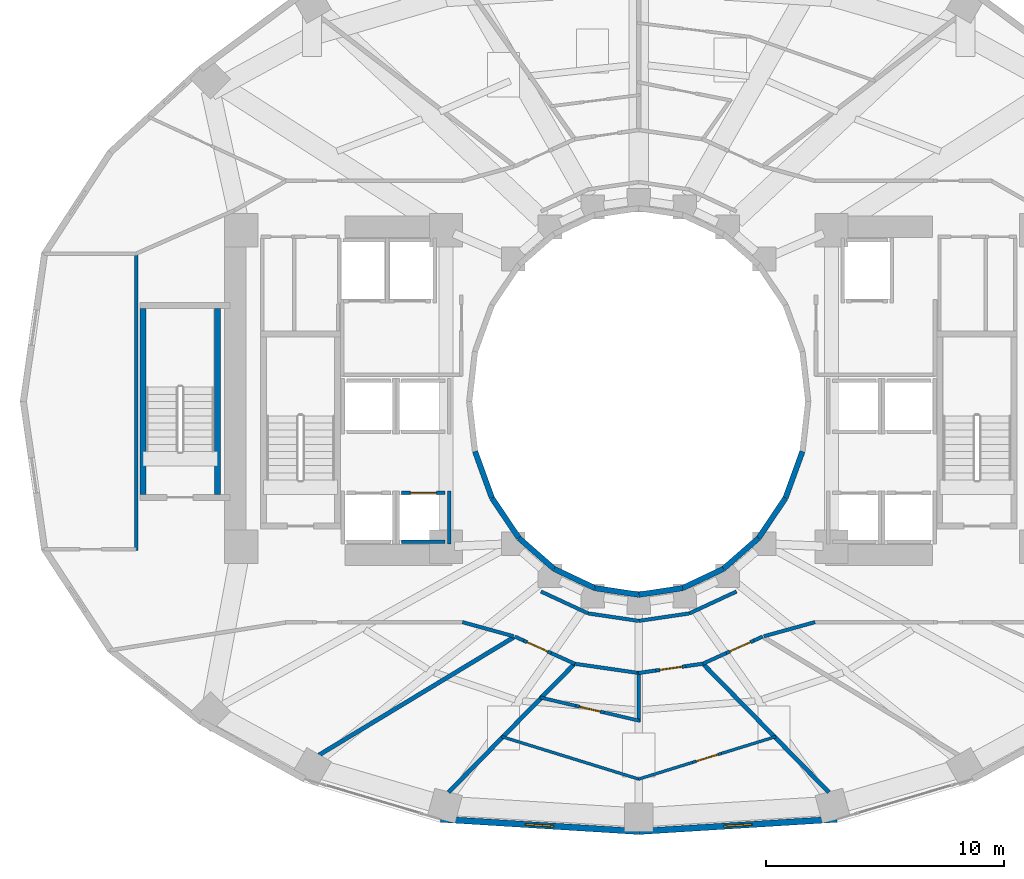
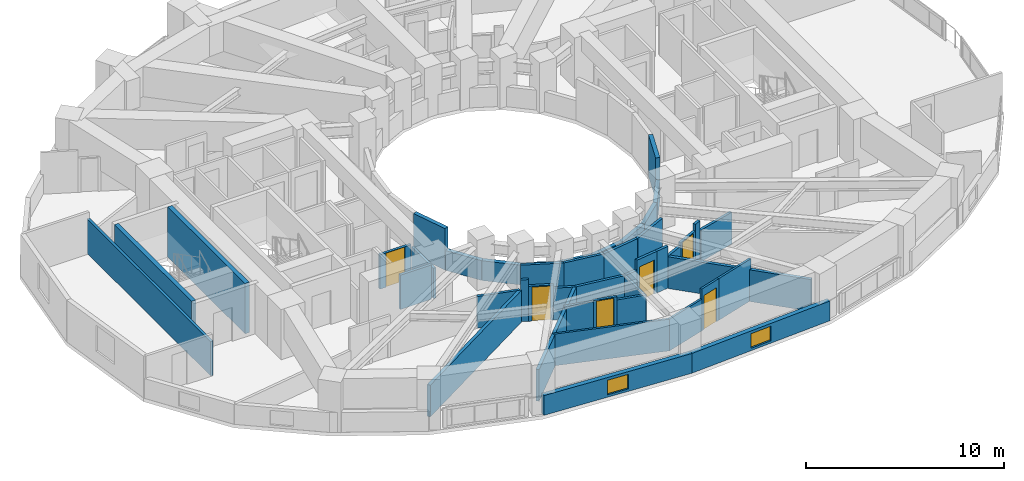
# One storey, part 14 of 22: 45 walls, 6 doors, 2 windows, 8 openings.
"""IFC4 building model written with IfcOpenShell, lengths in metres."""

from ifc_helpers import new_model, si_unit, direction, frame, frame_2d, origin, place, context, subcontext, project, spatial, rectangle, extrude, material, layer, layer_set, type_object, element, fill, save


model = new_model("IFC4")

# Units and contexts
model_context = context("Model", 3, precision=1e-05, world=origin(), true_north=direction((0.0, 1.0)))
body_context = subcontext(model_context, "Body", "Model", "MODEL_VIEW")
ifc_project = project(units=[si_unit("LENGTHUNIT", "METRE"), si_unit("AREAUNIT", "SQUARE_METRE"), si_unit("VOLUMEUNIT", "CUBIC_METRE"), si_unit("PLANEANGLEUNIT", "RADIAN"), si_unit("MASSUNIT", "GRAM", prefix="KILO")], contexts=[model_context])

# Site, building, storey
site_placement = place(None, origin())
site = spatial("IfcSite", under=ifc_project, at=site_placement, CompositionType="ELEMENT")
building_placement = place(site_placement, origin())
building = spatial("IfcBuilding", under=site, at=building_placement, Name="Solvane Sanctuary Tower", CompositionType="ELEMENT")
storey_placement = place(building_placement, frame((0.0, 0.0, 43.10009765625)))
storey = spatial("IfcBuildingStorey", under=building, at=storey_placement, Name="L12", CompositionType="ELEMENT", Elevation=43.10009765625)

# Walls
ifc_material_1 = material(Name="Acoustic Gypsum Partition Board")
ifc_layer_1 = layer(ifc_material_1, 0.14990234375, Name="Acoustic Gypsum Partition Board")
ifc_layer_set_1 = layer_set([ifc_layer_1], Name="Acoustic Gypsum Partition Board")
wall_type_1 = type_object("IfcWallType", Name="Wall W-CORR-150", PredefinedType="PARTITIONING", material=ifc_layer_set_1)
wall_1_placement = place(storey_placement, frame((27.889892578125, 15.01513671875, 0.0), z_axis=(0.0, 0.0, 1.0), x_axis=(0.906943449489, -0.421252393975, 0.0)))
element("IfcWall", 1, at=wall_1_placement, inside=storey, type_object=wall_type_1, Name="L12 Light-Well Corridor Rim Wall S1", PredefinedType="PARTITIONING", context=body_context, shape_type="SweptSolid", body=[
    extrude(rectangle(XDim=2.18603515625, YDim=0.14990234375, at=frame_2d((1.093017578125, 0.0))), origin(), (0.0, 0.0, 1.0), 1.956787109375),
])
for number, where, z_axis, x_axis, name in (
    (2, (29.87255859375, 14.09423828125, 0.0), (0.0, 0.0, 1.0), (0.989268584896, -0.146108408166, 0.0), "L12 Light-Well Corridor Rim Wall S2"),
    (3, (32.0, 13.780029296875, 0.0), (0.0, 0.0, 1.0), (0.989268584896, 0.146108408166, 0.0), "L12 Light-Well Corridor Rim Wall S3"),
):
    element("IfcWall", number, at=place(storey_placement, frame(where, z_axis=z_axis, x_axis=x_axis)), inside=storey, type_object=wall_type_1, Name=name, PredefinedType="PARTITIONING", context=body_context, shape_type="SweptSolid", body=[
        extrude(rectangle(XDim=2.150634765625, YDim=0.14990234375, at=frame_2d((1.0751953125, 0.0))), origin(), (0.0, 0.0, 1.0), 1.956787109375),
    ])
wall_2_placement = place(storey_placement, frame((34.12744140625, 14.09423828125, 0.0), z_axis=(0.0, 0.0, 1.0), x_axis=(0.906943449489, 0.421252393975, 0.0)))
element("IfcWall", 4, at=wall_2_placement, inside=storey, type_object=wall_type_1, Name="L12 Light-Well Corridor Rim Wall S4", PredefinedType="PARTITIONING", context=body_context, shape_type="SweptSolid", body=[
    extrude(rectangle(XDim=2.18603515625, YDim=0.14990234375, at=frame_2d((1.093017578125, 0.0))), origin(), (0.0, 0.0, 1.0), 1.956787109375),
])
wall_3_placement = place(storey_placement, frame((10.8798828125, 16.748291015625, 0.0), z_axis=(0.0, 0.0, 1.0), x_axis=(0.0, 1.0, 0.0)))
element("IfcWall", 5, at=wall_3_placement, inside=storey, type_object=wall_type_1, Name="L12 West Shoulder Back Wall", PredefinedType="PARTITIONING", context=body_context, shape_type="SweptSolid", body=[
    extrude(rectangle(XDim=12.50341796875, YDim=0.14990234375, at=frame_2d((6.251708984375, 0.0))), origin(), (0.0, 0.0, 1.0), 2.119873046875),
])
for number, where, z_axis, x_axis, name in (
    (6, (26.741943359375, 13.13330078125, 0.0), (0.0, 0.0, 1.0), (-0.963833843713, 0.266503886865, 0.0), "L12 SW Corner Throat Wall"),
    (7, (37.258056640625, 13.13330078125, 0.0), (0.0, 0.0, 1.0), (0.963833843713, 0.266503886865, 0.0), "L12 SE Corner Throat Wall"),
):
    element("IfcWall", number, at=place(storey_placement, frame(where, z_axis=z_axis, x_axis=x_axis)), inside=storey, type_object=wall_type_1, Name=name, PredefinedType="PARTITIONING", context=body_context, shape_type="SweptSolid", body=[
        extrude(rectangle(XDim=2.231689453125, YDim=0.14990234375, at=frame_2d((1.11572265625, 0.0))), origin(), (0.0, 0.0, 1.0), 1.956787109375),
    ])
wall_4_placement = place(storey_placement, frame((26.788818359375, 13.12255859375, 0.0), z_axis=(0.0, 0.0, 1.0), x_axis=(0.910630236002, -0.413222183915, 0.0)))
element("IfcWall", 8, at=wall_4_placement, inside=storey, type_object=wall_type_1, Name="L12 Unit Corridor Wall S1", PredefinedType="PARTITIONING", context=body_context, shape_type="SweptSolid", body=[
    extrude(rectangle(XDim=0.411865234375, YDim=0.14990234375, at=frame_2d((0.2060546875, 0.0))), origin(), (0.0, 0.0, 1.0), 2.574951171875),
])

# Wall, opening, door
wall_5_placement = place(storey_placement, frame((27.163818359375, 12.952392578125, 0.0), z_axis=(0.0, 0.0, 1.0), x_axis=(0.910524396382, -0.413455346552, 0.0)))
wall_5 = element("IfcWall", 9, at=wall_5_placement, inside=storey, type_object=wall_type_1, Name="L12 Unit Corridor Wall S1", PredefinedType="PARTITIONING", context=body_context, shape_type="SweptSolid", body=[
    extrude(rectangle(XDim=1.27001953125, YDim=0.14990234375, at=frame_2d((0.635009765625, 0.0))), origin(), (0.0, 0.0, 1.0), 2.159912109375),
])
opening_1_placement = place(wall_5_placement, frame((0.159912109375, 0.0, 0.0)))
opening_1 = element("IfcOpeningElement", 10, at=opening_1_placement, cuts=wall_5, Name="Opening D-L12-24", PredefinedType="OPENING", context=body_context, shape_type="SweptSolid", body=[
    extrude(rectangle(XDim=0.949951171875, YDim=2.10009765625, at=frame_2d((0.47509765625, 1.050048828125))), frame((0.0, 0.0849609375, 0.0), z_axis=(0.0, -1.0, 0.0), x_axis=(1.0, 0.0, 0.0)), (0.0, 0.0, 1.0), 0.169921875),
])
ifc_material_2 = material(Name="Engineered Tropical Hardwood", Category="wood")
door_type_1 = type_object("IfcDoorType", Name="Door D-ROOM-950", OperationType="NOTDEFINED", PredefinedType="DOOR", material=ifc_material_2)
door_1_placement = place(opening_1_placement, origin())
door_1 = element("IfcDoor", 11, at=door_1_placement, inside=storey, type_object=door_type_1, Name="L12 Unit Entrance Door S1", OperationType="SINGLE_SWING_RIGHT", OverallHeight=2.10009765625, OverallWidth=0.949951171875, PredefinedType="DOOR", context=body_context, shape_type="SweptSolid", body=[
    extrude(rectangle(XDim=0.949951171875, YDim=2.10009765625, at=frame_2d((0.47509765625, 1.050048828125))), frame((0.0, 0.02490234375, 0.0), z_axis=(0.0, -1.0, 0.0), x_axis=(1.0, 0.0, 0.0)), (0.0, 0.0, 1.0), 0.050048828125),
])
fill(opening_1, door_1)

# Walls
wall_6_placement = place(storey_placement, frame((28.3203125, 12.42724609375, 0.0), z_axis=(0.0, 0.0, 1.0), x_axis=(0.910596482868, -0.413296558645, 0.0)))
element("IfcWall", 12, at=wall_6_placement, inside=storey, type_object=wall_type_1, Name="L12 Unit Corridor Wall S1", PredefinedType="PARTITIONING", context=body_context, shape_type="SweptSolid", body=[
    extrude(rectangle(XDim=1.08984375, YDim=0.14990234375, at=frame_2d((0.544921875, 0.0))), origin(), (0.0, 0.0, 1.0), 1.956787109375),
])
wall_7_placement = place(storey_placement, frame((29.256103515625, 11.98583984375, 0.0), z_axis=(0.0, 0.0, 1.0), x_axis=(0.989761784218, -0.142729150844, 0.0)))
element("IfcWall", 13, at=wall_7_placement, inside=storey, type_object=wall_type_1, Name="L12 En-suite Inner Wall S2", PredefinedType="PARTITIONING", context=body_context, shape_type="SweptSolid", body=[
    extrude(rectangle(XDim=2.822265625, YDim=0.14990234375, at=frame_2d((1.4111328125, 0.0))), origin(), (0.0, 0.0, 1.0), 1.956787109375),
])
wall_8_placement = place(storey_placement, frame((31.99267578125, 11.590087890625, 0.0), z_axis=(0.0, 0.0, 1.0), x_axis=(0.989795766197, 0.142493302365, 0.0)))
element("IfcWall", 14, at=wall_8_placement, inside=storey, type_object=wall_type_1, Name="L12 Unit Corridor Wall S2", PredefinedType="PARTITIONING", context=body_context, shape_type="SweptSolid", body=[
    extrude(rectangle(XDim=0.7333984375, YDim=0.14990234375, at=frame_2d((0.36669921875, 0.0))), origin(), (0.0, 0.0, 1.0), 1.956787109375),
])

# Wall, opening, door
wall_9_placement = place(storey_placement, frame((32.718505859375, 11.694580078125, 0.0), z_axis=(0.0, 0.0, 1.0), x_axis=(0.989721405299, 0.14300888047, 0.0)))
wall_9 = element("IfcWall", 15, at=wall_9_placement, inside=storey, type_object=wall_type_1, Name="L12 Unit Corridor Wall S2", PredefinedType="PARTITIONING", context=body_context, shape_type="SweptSolid", body=[
    extrude(rectangle(XDim=1.27001953125, YDim=0.14990234375, at=frame_2d((0.635009765625, 0.0))), origin(), (0.0, 0.0, 1.0), 2.574951171875),
])
opening_2_placement = place(wall_9_placement, frame((0.159912109375, 0.0, 0.0)))
opening_2 = element("IfcOpeningElement", 16, at=opening_2_placement, cuts=wall_9, Name="Opening D-L12-27", PredefinedType="OPENING", context=body_context, shape_type="SweptSolid", body=[
    extrude(rectangle(XDim=0.949951171875, YDim=2.10009765625, at=frame_2d((0.47509765625, 1.050048828125))), frame((0.0, 0.0849609375, 0.0), z_axis=(0.0, -1.0, 0.0), x_axis=(1.0, 0.0, 0.0)), (0.0, 0.0, 1.0), 0.169921875),
])
door_2_placement = place(opening_2_placement, origin())
door_2 = element("IfcDoor", 17, at=door_2_placement, inside=storey, type_object=door_type_1, Name="L12 Unit Entrance Door S2", OperationType="SINGLE_SWING_LEFT", OverallHeight=2.10009765625, OverallWidth=0.949951171875, PredefinedType="DOOR", context=body_context, shape_type="SweptSolid", body=[
    extrude(rectangle(XDim=0.949951171875, YDim=2.10009765625, at=frame_2d((0.47509765625, 1.050048828125))), frame((0.0, 0.02490234375, 0.0), z_axis=(0.0, -1.0, 0.0), x_axis=(1.0, 0.0, 0.0)), (0.0, 0.0, 1.0), 0.050048828125),
])
fill(opening_2, door_2)

# Walls
wall_10_placement = place(storey_placement, frame((33.9755859375, 11.876220703125, 0.0), z_axis=(0.0, 0.0, 1.0), x_axis=(0.98974875873, 0.142819447526, 0.0)))
element("IfcWall", 18, at=wall_10_placement, inside=storey, type_object=wall_type_1, Name="L12 Unit Corridor Wall S2", PredefinedType="PARTITIONING", context=body_context, shape_type="SweptSolid", body=[
    extrude(rectangle(XDim=0.7333984375, YDim=0.14990234375, at=frame_2d((0.36669921875, 0.0))), origin(), (0.0, 0.0, 1.0), 2.574951171875),
])
wall_11_placement = place(storey_placement, frame((34.687255859375, 11.976806640625, 0.0), z_axis=(0.0, 0.0, 1.0), x_axis=(0.910596482868, 0.413296558645, 0.0)))
element("IfcWall", 19, at=wall_11_placement, inside=storey, type_object=wall_type_1, Name="L12 Unit Corridor Wall S3", PredefinedType="PARTITIONING", context=body_context, shape_type="SweptSolid", body=[
    extrude(rectangle(XDim=1.08984375, YDim=0.14990234375, at=frame_2d((0.544921875, 0.0))), origin(), (0.0, 0.0, 1.0), 1.956787109375),
])

# Wall, opening, door
wall_12_placement = place(storey_placement, frame((35.6796875, 12.42724609375, 0.0), z_axis=(0.0, 0.0, 1.0), x_axis=(0.910524396382, 0.413455346552, 0.0)))
wall_12 = element("IfcWall", 20, at=wall_12_placement, inside=storey, type_object=wall_type_1, Name="L12 Unit Corridor Wall S3", PredefinedType="PARTITIONING", context=body_context, shape_type="SweptSolid", body=[
    extrude(rectangle(XDim=1.27001953125, YDim=0.14990234375, at=frame_2d((0.635009765625, 0.0))), origin(), (0.0, 0.0, 1.0), 2.159912109375),
])
opening_3_placement = place(wall_12_placement, frame((0.159912109375, 0.0, 0.0)))
opening_3 = element("IfcOpeningElement", 21, at=opening_3_placement, cuts=wall_12, Name="Opening D-L12-28", PredefinedType="OPENING", context=body_context, shape_type="SweptSolid", body=[
    extrude(rectangle(XDim=0.949951171875, YDim=2.10009765625, at=frame_2d((0.47509765625, 1.050048828125))), frame((0.0, 0.0849609375, 0.0), z_axis=(0.0, -1.0, 0.0), x_axis=(1.0, 0.0, 0.0)), (0.0, 0.0, 1.0), 0.169921875),
])
door_3_placement = place(opening_3_placement, origin())
door_3 = element("IfcDoor", 22, at=door_3_placement, inside=storey, type_object=door_type_1, Name="L12 Unit Entrance Door S3", OperationType="SINGLE_SWING_RIGHT", OverallHeight=2.10009765625, OverallWidth=0.949951171875, PredefinedType="DOOR", context=body_context, shape_type="SweptSolid", body=[
    extrude(rectangle(XDim=0.949951171875, YDim=2.10009765625, at=frame_2d((0.47509765625, 1.050048828125))), frame((0.0, 0.02490234375, 0.0), z_axis=(0.0, -1.0, 0.0), x_axis=(1.0, 0.0, 0.0)), (0.0, 0.0, 1.0), 0.050048828125),
])
fill(opening_3, door_3)

# Wall
wall_13_placement = place(storey_placement, frame((36.836181640625, 12.952392578125, 0.0), z_axis=(0.0, 0.0, 1.0), x_axis=(0.910630236002, 0.413222183915, 0.0)))
element("IfcWall", 23, at=wall_13_placement, inside=storey, type_object=wall_type_1, Name="L12 Unit Corridor Wall S3", PredefinedType="PARTITIONING", context=body_context, shape_type="SweptSolid", body=[
    extrude(rectangle(XDim=0.411865234375, YDim=0.14990234375, at=frame_2d((0.2060546875, 0.0))), origin(), (0.0, 0.0, 1.0), 2.574951171875),
])

# Wall, opening, window
ifc_material_3 = material(Name="Precast concrete C40/50", Category="concrete")
ifc_layer_2 = layer(ifc_material_3, 0.260009765625, Name="Precast concrete C40/50")
ifc_layer_set_2 = layer_set([ifc_layer_2], Name="Precast concrete C40/50")
wall_type_2 = type_object("IfcWallType", Name="Wall W-EXT-250", PredefinedType="STANDARD", material=ifc_layer_set_2)
wall_14_placement = place(storey_placement, frame((23.668212890625, 5.447021484375, 0.0), z_axis=(0.0, 0.0, 1.0), x_axis=(0.998090514779, -0.061768311519, 0.0)))
wall_14 = element("IfcWall", 24, at=wall_14_placement, inside=storey, type_object=wall_type_2, Name="L12 Ceramic-Printed Facade Wall 17", PredefinedType="STANDARD", context=body_context, shape_type="SweptSolid", body=[
    extrude(rectangle(XDim=8.34765625, YDim=0.260009765625, at=frame_2d((4.173828125, 0.0))), origin(), (0.0, 0.0, 1.0), 1.219970703125),
])
opening_4_placement = place(wall_14_placement, frame((3.57373046875, 0.0, 0.14990234375)))
opening_4 = element("IfcOpeningElement", 25, at=opening_4_placement, cuts=wall_14, Name="Opening WN-OPER-1200", PredefinedType="OPENING", context=body_context, shape_type="SweptSolid", body=[
    extrude(rectangle(XDim=1.199951171875, YDim=0.89990234375, at=frame_2d((0.60009765625, 0.449951171875))), frame((0.0, 0.139892578125, 0.0), z_axis=(0.0, -1.0, 0.0), x_axis=(1.0, 0.0, 0.0)), (0.0, 0.0, 1.0), 0.280029296875),
])
ifc_material_4 = material(Name="Dark Ceramic-Fritted Low-E Glass", Category="glass")
window_type = type_object("IfcWindowType", Name="Window WN-OPER-1200", PartitioningType="SINGLE_PANEL", PredefinedType="WINDOW", material=ifc_material_4)
window_1_placement = place(opening_4_placement, origin())
window_1 = element("IfcWindow", 26, at=window_1_placement, inside=storey, type_object=window_type, Name="L12 Operable Facade Window 17", OverallHeight=0.89990234375, OverallWidth=1.199951171875, PartitioningType="SINGLE_PANEL", PredefinedType="WINDOW", context=body_context, shape_type="SweptSolid", body=[
    extrude(rectangle(XDim=1.199951171875, YDim=0.89990234375, at=frame_2d((0.60009765625, 0.449951171875))), frame((0.0, 0.030029296875, 0.0), z_axis=(0.0, -1.0, 0.0), x_axis=(1.0, 0.0, 0.0)), (0.0, 0.0, 1.0), 0.06005859375),
])
fill(opening_4, window_1)

wall_15_placement = place(storey_placement, frame((32.0, 4.931396484375, 0.0), z_axis=(0.0, 0.0, 1.0), x_axis=(0.998090514779, 0.061768311519, 0.0)))
wall_15 = element("IfcWall", 27, at=wall_15_placement, inside=storey, type_object=wall_type_2, Name="L12 Ceramic-Printed Facade Wall 18", PredefinedType="STANDARD", context=body_context, shape_type="SweptSolid", body=[
    extrude(rectangle(XDim=8.34765625, YDim=0.260009765625, at=frame_2d((4.173828125, 0.0))), origin(), (0.0, 0.0, 1.0), 1.219970703125),
])
opening_5_placement = place(wall_15_placement, frame((3.57373046875, 0.0, 0.14990234375)))
opening_5 = element("IfcOpeningElement", 28, at=opening_5_placement, cuts=wall_15, Name="Opening WN-OPER-1200", PredefinedType="OPENING", context=body_context, shape_type="SweptSolid", body=[
    extrude(rectangle(XDim=1.199951171875, YDim=0.89990234375, at=frame_2d((0.60009765625, 0.449951171875))), frame((0.0, 0.139892578125, 0.0), z_axis=(0.0, -1.0, 0.0), x_axis=(1.0, 0.0, 0.0)), (0.0, 0.0, 1.0), 0.280029296875),
])
window_2_placement = place(opening_5_placement, origin())
window_2 = element("IfcWindow", 29, at=window_2_placement, inside=storey, type_object=window_type, Name="L12 Operable Facade Window 18", OverallHeight=0.89990234375, OverallWidth=1.199951171875, PartitioningType="SINGLE_PANEL", PredefinedType="WINDOW", context=body_context, shape_type="SweptSolid", body=[
    extrude(rectangle(XDim=1.199951171875, YDim=0.89990234375, at=frame_2d((0.60009765625, 0.449951171875))), frame((0.0, 0.030029296875, 0.0), z_axis=(0.0, -1.0, 0.0), x_axis=(1.0, 0.0, 0.0)), (0.0, 0.0, 1.0), 0.06005859375),
])
fill(opening_5, window_2)

# Walls
ifc_layer_3 = layer(ifc_material_3, 0.22998046875, Name="Precast concrete C40/50")
ifc_layer_set_3 = layer_set([ifc_layer_3], Name="Precast concrete C40/50")
wall_type_3 = type_object("IfcWallType", Name="Wall W-EXT-SP220", PredefinedType="STANDARD", material=ifc_layer_set_3)
wall_16_placement = place(storey_placement, frame((25.12255859375, 20.8984375, 0.0), z_axis=(0.0, 0.0, 1.0), x_axis=(0.341423187295, -0.93990968033, 0.0)))
element("IfcWall", 30, at=wall_16_placement, inside=storey, type_object=wall_type_3, Name="L12 Central Light-Well Wall 13", PredefinedType="STANDARD", context=body_context, shape_type="SweptSolid", body=[
    extrude(rectangle(XDim=2.083740234375, YDim=0.22998046875, at=frame_2d((1.0419921875, 0.0))), origin(), (0.0, 0.0, 1.0), 2.559814453125),
])
wall_17_placement = place(storey_placement, frame((25.833984375, 18.93994140625, 0.0), z_axis=(0.0, 0.0, 1.0), x_axis=(0.558197800898, -0.829707909492, 0.0)))
element("IfcWall", 31, at=wall_17_placement, inside=storey, type_object=wall_type_3, Name="L12 Central Light-Well Wall 14", PredefinedType="STANDARD", context=body_context, shape_type="SweptSolid", body=[
    extrude(rectangle(XDim=2.02685546875, YDim=0.22998046875, at=frame_2d((1.013427734375, 0.0))), origin(), (0.0, 0.0, 1.0), 1.219970703125),
])
wall_18_placement = place(storey_placement, frame((26.96533203125, 17.25830078125, 0.0), z_axis=(0.0, 0.0, 1.0), x_axis=(0.752576694707, -0.658504607869, 0.0)))
element("IfcWall", 32, at=wall_18_placement, inside=storey, type_object=wall_type_3, Name="L12 Central Light-Well Wall 15", PredefinedType="STANDARD", context=body_context, shape_type="SweptSolid", body=[
    extrude(rectangle(XDim=1.95947265625, YDim=0.22998046875, at=frame_2d((0.979736328125, 0.0))), origin(), (0.0, 0.0, 1.0), 1.219970703125),
])
wall_19_placement = place(storey_placement, frame((28.43994140625, 15.968017578125, 0.0), z_axis=(0.0, 0.0, 1.0), x_axis=(0.904179699603, -0.427152280606, 0.0)))
element("IfcWall", 33, at=wall_19_placement, inside=storey, type_object=wall_type_3, Name="L12 Central Light-Well Wall 16", PredefinedType="STANDARD", context=body_context, shape_type="SweptSolid", body=[
    extrude(rectangle(XDim=1.899169921875, YDim=0.22998046875, at=frame_2d((0.94970703125, 0.0))), origin(), (0.0, 0.0, 1.0), 1.219970703125),
])
for number, where, z_axis, x_axis, name in (
    (34, (30.1572265625, 15.15673828125, 0.0), (0.0, 0.0, 1.0), (0.988901730308, -0.148571086668, 0.0), "L12 Central Light-Well Wall 17"),
    (35, (32.0, 14.8798828125, 0.0), (0.0, 0.0, 1.0), (0.988901730308, 0.148571086668, 0.0), "L12 Central Light-Well Wall 18"),
):
    element("IfcWall", number, at=place(storey_placement, frame(where, z_axis=z_axis, x_axis=x_axis)), inside=storey, type_object=wall_type_3, Name=name, PredefinedType="STANDARD", context=body_context, shape_type="SweptSolid", body=[
        extrude(rectangle(XDim=1.863525390625, YDim=0.22998046875, at=frame_2d((0.931640625, 0.0))), origin(), (0.0, 0.0, 1.0), 1.219970703125),
    ])
wall_20_placement = place(storey_placement, frame((33.8427734375, 15.15673828125, 0.0), z_axis=(0.0, 0.0, 1.0), x_axis=(0.904179699603, 0.427152280606, 0.0)))
element("IfcWall", 36, at=wall_20_placement, inside=storey, type_object=wall_type_3, Name="L12 Central Light-Well Wall 19", PredefinedType="STANDARD", context=body_context, shape_type="SweptSolid", body=[
    extrude(rectangle(XDim=1.899169921875, YDim=0.22998046875, at=frame_2d((0.94970703125, 0.0))), origin(), (0.0, 0.0, 1.0), 1.219970703125),
])
wall_21_placement = place(storey_placement, frame((35.56005859375, 15.968017578125, 0.0), z_axis=(0.0, 0.0, 1.0), x_axis=(0.752576694707, 0.658504607869, 0.0)))
element("IfcWall", 37, at=wall_21_placement, inside=storey, type_object=wall_type_3, Name="L12 Central Light-Well Wall 20", PredefinedType="STANDARD", context=body_context, shape_type="SweptSolid", body=[
    extrude(rectangle(XDim=1.95947265625, YDim=0.22998046875, at=frame_2d((0.979736328125, 0.0))), origin(), (0.0, 0.0, 1.0), 1.219970703125),
])
wall_22_placement = place(storey_placement, frame((37.03466796875, 17.25830078125, 0.0), z_axis=(0.0, 0.0, 1.0), x_axis=(0.558197800898, 0.829707909492, 0.0)))
element("IfcWall", 38, at=wall_22_placement, inside=storey, type_object=wall_type_3, Name="L12 Central Light-Well Wall 21", PredefinedType="STANDARD", context=body_context, shape_type="SweptSolid", body=[
    extrude(rectangle(XDim=2.02685546875, YDim=0.22998046875, at=frame_2d((1.013427734375, 0.0))), origin(), (0.0, 0.0, 1.0), 1.219970703125),
])
wall_23_placement = place(storey_placement, frame((38.166015625, 18.93994140625, 0.0), z_axis=(0.0, 0.0, 1.0), x_axis=(0.341423187295, 0.93990968033, 0.0)))
element("IfcWall", 39, at=wall_23_placement, inside=storey, type_object=wall_type_3, Name="L12 Central Light-Well Wall 22", PredefinedType="STANDARD", context=body_context, shape_type="SweptSolid", body=[
    extrude(rectangle(XDim=2.083740234375, YDim=0.22998046875, at=frame_2d((1.0419921875, 0.0))), origin(), (0.0, 0.0, 1.0), 2.559814453125),
])
ifc_layer_4 = layer(ifc_material_1, 0.1201171875, Name="Acoustic Gypsum Partition Board")
ifc_layer_set_4 = layer_set([ifc_layer_4], Name="Acoustic Gypsum Partition Board")
wall_type_4 = type_object("IfcWallType", Name="Wall W-MOV-100", PredefinedType="MOVABLE", material=ifc_layer_set_4)
wall_24_placement = place(storey_placement, frame((26.24072265625, 8.91748046875, 0.0), z_axis=(0.0, 0.0, 1.0), x_axis=(0.955191504197, -0.29598849692, 0.0)))
element("IfcWall", 40, at=wall_24_placement, inside=storey, type_object=wall_type_4, Name="L12 Suite Sitting Lounge Partition S2", PredefinedType="MOVABLE", context=body_context, shape_type="SweptSolid", body=[
    extrude(rectangle(XDim=6.039306640625, YDim=0.1201171875, at=frame_2d((3.01953125, 0.0))), origin(), (0.0, 0.0, 1.0), 1.956787109375),
])
wall_25_placement = place(storey_placement, frame((31.990478515625, 7.1298828125, 0.0), z_axis=(0.0, 0.0, 1.0), x_axis=(0.955194959811, 0.295977344996, 0.0)))
element("IfcWall", 41, at=wall_25_placement, inside=storey, type_object=wall_type_4, Name="L12 Suite Sitting Lounge Partition S2", PredefinedType="MOVABLE", context=body_context, shape_type="SweptSolid", body=[
    extrude(rectangle(XDim=2.384765625, YDim=0.1201171875, at=frame_2d((1.1923828125, 0.0))), origin(), (0.0, 0.0, 1.0), 1.956787109375),
])

# Wall, opening, door
wall_26_placement = place(storey_placement, frame((34.268310546875, 7.835693359375, 0.0), z_axis=(0.0, 0.0, 1.0), x_axis=(0.95517852645, 0.296030374468, 0.0)))
wall_26 = element("IfcWall", 42, at=wall_26_placement, inside=storey, type_object=wall_type_4, Name="L12 Suite Sitting Lounge Partition S2", PredefinedType="MOVABLE", context=body_context, shape_type="SweptSolid", body=[
    extrude(rectangle(XDim=1.27001953125, YDim=0.1201171875, at=frame_2d((0.635009765625, 0.0))), origin(), (0.0, 0.0, 1.0), 2.574951171875),
])
opening_6_placement = place(wall_26_placement, frame((0.159912109375, 0.0, 0.0)))
opening_6 = element("IfcOpeningElement", 43, at=opening_6_placement, cuts=wall_26, Name="Opening D-L12-25", PredefinedType="OPENING", context=body_context, shape_type="SweptSolid", body=[
    extrude(rectangle(XDim=0.949951171875, YDim=2.10009765625, at=frame_2d((0.47509765625, 1.050048828125))), frame((0.0, 0.070068359375, 0.0), z_axis=(0.0, -1.0, 0.0), x_axis=(1.0, 0.0, 0.0)), (0.0, 0.0, 1.0), 0.14013671875),
])
door_4_placement = place(opening_6_placement, origin())
door_4 = element("IfcDoor", 44, at=door_4_placement, inside=storey, type_object=door_type_1, Name="L12 Suite Sitting Lounge Door S2", OperationType="SINGLE_SWING_LEFT", OverallHeight=2.10009765625, OverallWidth=0.949951171875, PredefinedType="DOOR", context=body_context, shape_type="SweptSolid", body=[
    extrude(rectangle(XDim=0.949951171875, YDim=2.10009765625, at=frame_2d((0.47509765625, 1.050048828125))), frame((0.0, 0.02490234375, 0.0), z_axis=(0.0, -1.0, 0.0), x_axis=(1.0, 0.0, 0.0)), (0.0, 0.0, 1.0), 0.050048828125),
])
fill(opening_6, door_4)

# Wall
wall_27_placement = place(storey_placement, frame((35.4814453125, 8.211669921875, 0.0), z_axis=(0.0, 0.0, 1.0), x_axis=(0.955194959811, 0.295977344996, 0.0)))
element("IfcWall", 45, at=wall_27_placement, inside=storey, type_object=wall_type_4, Name="L12 Suite Sitting Lounge Partition S2", PredefinedType="MOVABLE", context=body_context, shape_type="SweptSolid", body=[
    extrude(rectangle(XDim=2.384765625, YDim=0.1201171875, at=frame_2d((1.1923828125, 0.0))), origin(), (0.0, 0.0, 1.0), 2.574951171875),
])

# Wall, opening, door
ifc_material_5 = material(Name="Concrete C50/60", Category="concrete")
ifc_layer_5 = layer(ifc_material_5, 0.14990234375, Name="Concrete C50/60")
ifc_layer_set_5 = layer_set([ifc_layer_5], Name="Concrete C50/60")
wall_type_5 = type_object("IfcWallType", Name="Wall W-SHAFT-150", PredefinedType="SOLIDWALL", material=ifc_layer_set_5)
wall_28_placement = place(storey_placement, frame((22.0400390625, 19.159912109375, 0.0), z_axis=(0.0, 0.0, 1.0), x_axis=(1.0, 0.0, 0.0)))
wall_28 = element("IfcWall", 46, at=wall_28_placement, inside=storey, type_object=wall_type_5, Name="L12 PL-2 Lift Shaft Wall F", PredefinedType="SOLIDWALL", context=body_context, shape_type="SweptSolid", body=[
    extrude(rectangle(XDim=1.820068359375, YDim=0.14990234375, at=frame_2d((0.91015625, 0.0))), origin(), (0.0, 0.0, 1.0), 2.119873046875),
])
opening_7_placement = place(wall_28_placement, frame((0.360107421875, 0.0, 0.0)))
opening_7 = element("IfcOpeningElement", 47, at=opening_7_placement, cuts=wall_28, Name="Opening LD-L12-02", PredefinedType="OPENING", context=body_context, shape_type="SweptSolid", body=[
    extrude(rectangle(XDim=1.10009765625, YDim=2.10009765625, at=frame_2d((0.550048828125, 1.050048828125))), frame((0.0, 0.0849609375, 0.0), z_axis=(0.0, -1.0, 0.0), x_axis=(1.0, 0.0, 0.0)), (0.0, 0.0, 1.0), 0.169921875),
])
ifc_material_6 = material(Name="Architectural Stainless Steel 316", Category="steel")
door_type_2 = type_object("IfcDoorType", Name="Door LD-PASS-1100", OperationType="NOTDEFINED", PredefinedType="DOOR", material=ifc_material_6)
door_5_placement = place(opening_7_placement, origin())
door_5 = element("IfcDoor", 48, at=door_5_placement, inside=storey, type_object=door_type_2, Name="L12 PL-2 Lift Landing Door", OperationType="DOUBLE_DOOR_SLIDING", OverallHeight=2.10009765625, OverallWidth=1.10009765625, PredefinedType="DOOR", context=body_context, shape_type="SweptSolid", body=[
    extrude(rectangle(XDim=1.10009765625, YDim=2.10009765625, at=frame_2d((0.550048828125, 1.050048828125))), frame((0.0, 0.02490234375, 0.0), z_axis=(0.0, -1.0, 0.0), x_axis=(1.0, 0.0, 0.0)), (0.0, 0.0, 1.0), 0.050048828125),
])
fill(opening_7, door_5)

# Walls
wall_29_placement = place(storey_placement, frame((22.0400390625, 17.10009765625, 0.0), z_axis=(0.0, 0.0, 1.0), x_axis=(1.0, 0.0, 0.0)))
element("IfcWall", 49, at=wall_29_placement, inside=storey, type_object=wall_type_5, Name="L12 PL-2 Lift Shaft Wall B", PredefinedType="SOLIDWALL", context=body_context, shape_type="SweptSolid", body=[
    extrude(rectangle(XDim=1.820068359375, YDim=0.14990234375, at=frame_2d((0.91015625, 0.0))), origin(), (0.0, 0.0, 1.0), 2.119873046875),
])
wall_30_placement = place(storey_placement, frame((24.030029296875, 17.02001953125, 0.0), z_axis=(0.0, 0.0, 1.0), x_axis=(0.0, 1.0, 0.0)))
element("IfcWall", 50, at=wall_30_placement, inside=storey, type_object=wall_type_5, Name="L12 PL-2 Lift Shaft Wall S2", PredefinedType="SOLIDWALL", context=body_context, shape_type="SweptSolid", body=[
    extrude(rectangle(XDim=2.219970703125, YDim=0.14990234375, at=frame_2d((1.10986328125, 0.0))), origin(), (0.0, 0.0, 1.0), 1.872802734375),
])
ifc_layer_6 = layer(ifc_material_5, 0.25, Name="Concrete C50/60")
ifc_layer_set_6 = layer_set([ifc_layer_6], Name="Concrete C50/60")
wall_type_6 = type_object("IfcWallType", Name="Wall W-SHAFT-250", PredefinedType="SOLIDWALL", material=ifc_layer_set_6)
for number, where, z_axis, x_axis, name in (
    (51, (11.169921875, 19.094970703125, 0.0), (0.0, 0.0, 1.0), (0.0, 1.0, 0.0), "L12 ST-3 Load-Bearing Shaft Wall W"),
    (52, (14.2900390625, 19.094970703125, 0.0), (0.0, 0.0, 1.0), (0.0, 1.0, 0.0), "L12 ST-3 Load-Bearing Shaft Wall E"),
):
    element("IfcWall", number, at=place(storey_placement, frame(where, z_axis=z_axis, x_axis=x_axis)), inside=storey, type_object=wall_type_6, Name=name, PredefinedType="SOLIDWALL", context=body_context, shape_type="SweptSolid", body=[
        extrude(rectangle(XDim=7.81005859375, YDim=0.25, at=frame_2d((3.905029296875, 0.0))), origin(), (0.0, 0.0, 1.0), 3.099853515625),
    ])
ifc_layer_7 = layer(ifc_material_1, 0.179931640625, Name="Acoustic Gypsum Partition Board")
ifc_layer_set_7 = layer_set([ifc_layer_7], Name="Acoustic Gypsum Partition Board")
wall_type_7 = type_object("IfcWallType", Name="Wall W-UNIT-180", PredefinedType="PARTITIONING", material=ifc_layer_set_7)
wall_31_placement = place(storey_placement, frame((26.747802734375, 13.090087890625, 0.0), z_axis=(0.0, 0.0, 1.0), x_axis=(-0.855817136021, -0.517278483694, 0.0)))
element("IfcWall", 53, at=wall_31_placement, inside=storey, type_object=wall_type_7, Name="L12 Radial Compartment Wall 240", PredefinedType="PARTITIONING", context=body_context, shape_type="SweptSolid", body=[
    extrude(rectangle(XDim=9.56396484375, YDim=0.179931640625, at=frame_2d((4.781982421875, 0.0))), origin(), (0.0, 0.0, 1.0), 1.956787109375),
])
for number, where, z_axis, x_axis, name in (
    (54, (29.26708984375, 11.939453125, 0.0), (0.0, 0.0, 1.0), (-0.700234780085, -0.713912636644, 0.0), "L12 Radial Compartment Wall 255"),
    (55, (34.73291015625, 11.939453125, 0.0), (0.0, 0.0, 1.0), (0.700234780085, -0.713912636644, 0.0), "L12 Radial Compartment Wall 285"),
):
    element("IfcWall", number, at=place(storey_placement, frame(where, z_axis=z_axis, x_axis=x_axis)), inside=storey, type_object=wall_type_7, Name=name, PredefinedType="PARTITIONING", context=body_context, shape_type="SweptSolid", body=[
        extrude(rectangle(XDim=7.5146484375, YDim=0.179931640625, at=frame_2d((3.75732421875, 0.0))), origin(), (0.0, 0.0, 1.0), 1.956787109375),
    ])
ifc_layer_8 = layer(ifc_material_1, 0.139892578125, Name="Acoustic Gypsum Partition Board")
ifc_layer_set_8 = layer_set([ifc_layer_8], Name="Acoustic Gypsum Partition Board")
wall_type_8 = type_object("IfcWallType", Name="Wall W-WET-140", PredefinedType="PLUMBINGWALL", material=ifc_layer_set_8)
wall_32_placement = place(storey_placement, frame((32.0, 11.639892578125, 0.0), z_axis=(0.0, 0.0, 1.0), x_axis=(0.0, -1.0, 0.0)))
element("IfcWall", 56, at=wall_32_placement, inside=storey, type_object=wall_type_8, Name="L12 En-suite Side Partition S2", PredefinedType="PLUMBINGWALL", context=body_context, shape_type="SweptSolid", body=[
    extrude(rectangle(XDim=2.099853515625, YDim=0.139892578125, at=frame_2d((1.0498046875, 0.0))), origin(), (0.0, 0.0, 1.0), 1.956787109375),
])
wall_33_placement = place(storey_placement, frame((27.8564453125, 10.5625, 0.0), z_axis=(0.0, 0.0, 1.0), x_axis=(0.973549808771, -0.228474877924, 0.0)))
element("IfcWall", 57, at=wall_33_placement, inside=storey, type_object=wall_type_8, Name="L12 En-suite Bedroom Wall S2", PredefinedType="PLUMBINGWALL", context=body_context, shape_type="SweptSolid", body=[
    extrude(rectangle(XDim=1.54296875, YDim=0.139892578125, at=frame_2d((0.771484375, 0.0))), origin(), (0.0, 0.0, 1.0), 2.10498046875),
])

# Wall, opening, door
wall_34_placement = place(storey_placement, frame((29.358642578125, 10.2099609375, 0.0), z_axis=(0.0, 0.0, 1.0), x_axis=(0.97353775554, -0.228526231619, 0.0)))
wall_34 = element("IfcWall", 58, at=wall_34_placement, inside=storey, type_object=wall_type_8, Name="L12 En-suite Bedroom Wall S2", PredefinedType="PLUMBINGWALL", context=body_context, shape_type="SweptSolid", body=[
    extrude(rectangle(XDim=1.219970703125, YDim=0.139892578125, at=frame_2d((0.60986328125, 0.0))), origin(), (0.0, 0.0, 1.0), 2.159912109375),
])
opening_8_placement = place(wall_34_placement, frame((0.159912109375, 0.0, 0.0)))
opening_8 = element("IfcOpeningElement", 59, at=opening_8_placement, cuts=wall_34, Name="Opening D-L12-26", PredefinedType="OPENING", context=body_context, shape_type="SweptSolid", body=[
    extrude(rectangle(XDim=0.89990234375, YDim=2.10009765625, at=frame_2d((0.449951171875, 1.050048828125))), frame((0.0, 0.079833984375, 0.0), z_axis=(0.0, -1.0, 0.0), x_axis=(1.0, 0.0, 0.0)), (0.0, 0.0, 1.0), 0.159912109375),
])
door_type_3 = type_object("IfcDoorType", Name="Door D-WET-900", OperationType="NOTDEFINED", PredefinedType="DOOR", material=ifc_material_2)
door_6_placement = place(opening_8_placement, origin())
door_6 = element("IfcDoor", 60, at=door_6_placement, inside=storey, type_object=door_type_3, Name="L12 En-suite Bathroom Door S2", OperationType="SINGLE_SWING_RIGHT", OverallHeight=2.10009765625, OverallWidth=0.89990234375, PredefinedType="DOOR", context=body_context, shape_type="SweptSolid", body=[
    extrude(rectangle(XDim=0.89990234375, YDim=2.10009765625, at=frame_2d((0.449951171875, 1.050048828125))), frame((0.0, 0.02490234375, 0.0), z_axis=(0.0, -1.0, 0.0), x_axis=(1.0, 0.0, 0.0)), (0.0, 0.0, 1.0), 0.050048828125),
])
fill(opening_8, door_6)

# Wall
wall_35_placement = place(storey_placement, frame((30.54638671875, 9.93115234375, 0.0), z_axis=(0.0, 0.0, 1.0), x_axis=(0.973549808771, -0.228474877924, 0.0)))
element("IfcWall", 61, at=wall_35_placement, inside=storey, type_object=wall_type_8, Name="L12 En-suite Bedroom Wall S2", PredefinedType="PLUMBINGWALL", context=body_context, shape_type="SweptSolid", body=[
    extrude(rectangle(XDim=1.54296875, YDim=0.139892578125, at=frame_2d((0.771484375, 0.0))), origin(), (0.0, 0.0, 1.0), 1.956787109375),
])

save(model, "model.ifc")
